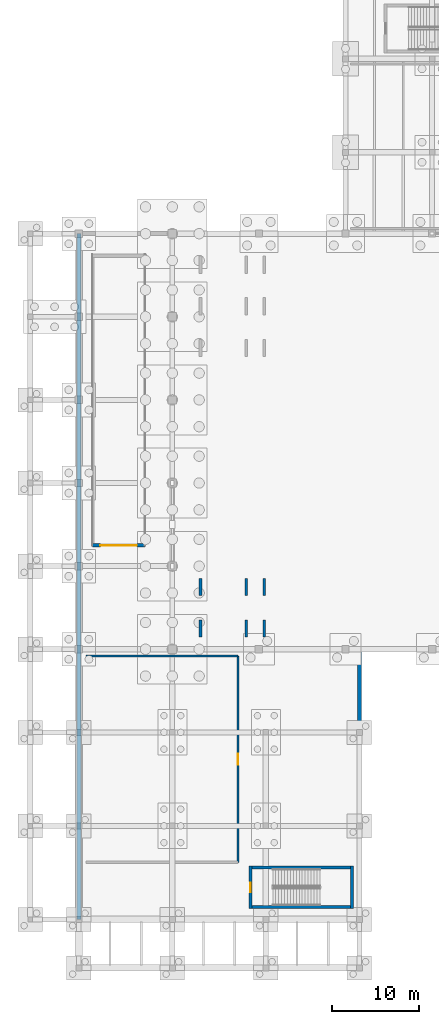
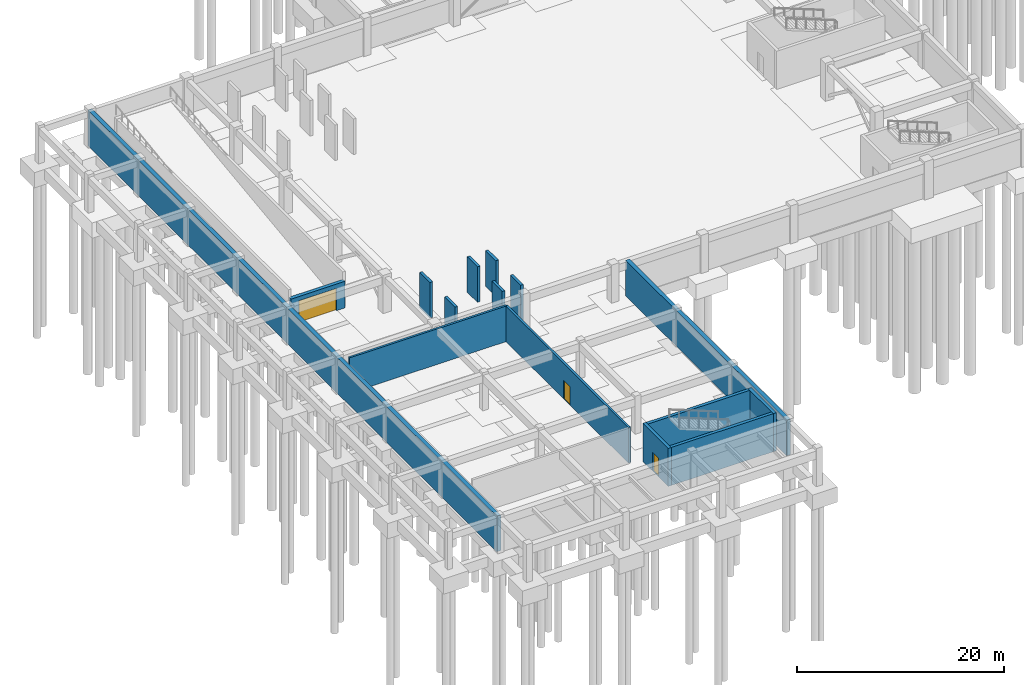
# One storey, part 14 of 33: 15 walls, 3 doors, 3 openings.
"""IFC4 building model written with IfcOpenShell, lengths in metres."""

from ifc_helpers import new_model, si_unit, direction, frame, frame_2d, origin, place, context, subcontext, project, spatial, rectangle, extrude, material, layer, layer_set, type_object, element, fill, save


model = new_model("IFC4")

# Units and contexts
model_context = context("Model", 3, precision=1e-05, world=origin(), true_north=direction((0.0, 1.0)))
body_context = subcontext(model_context, "Body", "Model", "MODEL_VIEW")
ifc_project = project(units=[si_unit("LENGTHUNIT", "METRE"), si_unit("AREAUNIT", "SQUARE_METRE"), si_unit("VOLUMEUNIT", "CUBIC_METRE"), si_unit("PLANEANGLEUNIT", "RADIAN"), si_unit("MASSUNIT", "GRAM", prefix="KILO")], contexts=[model_context])

# Site, building, storey
site_placement = place(None, origin())
site = spatial("IfcSite", under=ifc_project, at=site_placement, CompositionType="ELEMENT")
building_placement = place(site_placement, origin())
building = spatial("IfcBuilding", under=site, at=building_placement, Name="Veldera Park Congress Hotel", CompositionType="ELEMENT")
storey_placement = place(building_placement, frame((0.0, 0.0, -4.5)))
storey = spatial("IfcBuildingStorey", under=building, at=storey_placement, Name="B1", CompositionType="ELEMENT", Elevation=-4.5)

# Wall, opening, door
ifc_material_1 = material(Name="Concrete f'c 40 MPa (5,800 psi)", Category="concrete")
ifc_layer_1 = layer(ifc_material_1, 0.239990234375)
ifc_layer_set_1 = layer_set([ifc_layer_1], Name="Concrete f'c 40 MPa (5,800 psi)")
wall_type_1 = type_object("IfcWallType", Name="IW-FIRE240", PredefinedType="STANDARD", material=ifc_layer_set_1)
wall_1_placement = place(storey_placement, frame((-59.800048828125, -45.60009765625, 0.0), z_axis=(0.0, 0.0, 1.0), x_axis=(0.0, 1.0, 0.0)))
wall_1 = element("IfcWall", 1, at=wall_1_placement, inside=storey, type_object=wall_type_1, Name="B1 Partition Wall IW3-B1-00016", PredefinedType="STANDARD", context=body_context, shape_type="SweptSolid", body=[
    extrude(rectangle(XDim=23.800048828125, YDim=0.239990234375, at=frame_2d((11.89990234375, 0.0))), origin(), (0.0, 0.0, 1.0), 4.199951171875),
])
opening_1_placement = place(wall_1_placement, frame((11.25, 0.0, 0.0)))
opening_1 = element("IfcOpeningElement", 2, at=opening_1_placement, cuts=wall_1, Name="Opening ID-PLANT130", PredefinedType="OPENING", context=body_context, shape_type="SweptSolid", body=[
    extrude(rectangle(XDim=1.300048828125, YDim=2.199951171875, at=frame_2d((0.64990234375, 1.10009765625))), frame((0.0, 0.132080078125, 0.0), z_axis=(0.0, -1.0, 0.0), x_axis=(1.0, 0.0, 0.0)), (0.0, 0.0, 1.0), 0.263916015625),
])
ifc_material_2 = material(Name="Hollow Metal Fire-Rated Steel Door", Category="steel")
door_type_1 = type_object("IfcDoorType", Name="ID-PLANT130", OperationType="NOTDEFINED", PredefinedType="DOOR", material=ifc_material_2)
door_1_placement = place(opening_1_placement, origin())
door_1 = element("IfcDoor", 3, at=door_1_placement, inside=storey, type_object=door_type_1, Name="B1 Geothermal Heat Pump and Spa Filtration Plant Door ID3-B1-0007 (DR3-ID3-B1-0007)", OperationType="SINGLE_SWING_LEFT", OverallHeight=2.199951171875, OverallWidth=1.300048828125, PredefinedType="DOOR", context=body_context, shape_type="SweptSolid", body=[
    extrude(rectangle(XDim=1.300048828125, YDim=2.199951171875, at=frame_2d((0.64990234375, 1.10009765625))), frame((0.0, 0.02490234375, 0.0), z_axis=(0.0, -1.0, 0.0), x_axis=(1.0, 0.0, 0.0)), (0.0, 0.0, 1.0), 0.050048828125),
])
fill(opening_1, door_1)

# Walls
wall_2_placement = place(storey_placement, frame((-59.800048828125, -21.800048828125, 0.0), z_axis=(0.0, 0.0, 1.0), x_axis=(-1.0, 0.0, 0.0)))
element("IfcWall", 4, at=wall_2_placement, inside=storey, type_object=wall_type_1, Name="B1 Partition Wall IW3-B1-00017", PredefinedType="STANDARD", context=body_context, shape_type="SweptSolid", body=[
    extrude(rectangle(XDim=17.599853515625, YDim=0.239990234375, at=frame_2d((8.7998046875, 0.0))), origin(), (0.0, 0.0, 1.0), 4.199951171875),
])
ifc_layer_2 = layer(ifc_material_1, 0.35009765625)
ifc_layer_set_2 = layer_set([ifc_layer_2], Name="Concrete f'c 40 MPa (5,800 psi)")
wall_type_2 = type_object("IfcWallType", Name="SW-CORE350", PredefinedType="SHEAR", material=ifc_layer_set_2)
wall_3_placement = place(storey_placement, frame((-58.550048828125, -50.77490234375, 0.0), z_axis=(0.0, 0.0, 1.0), x_axis=(1.0, 0.0, 0.0)))
element("IfcWall", 5, at=wall_3_placement, inside=storey, type_object=wall_type_2, Name="Stair ST8 Core Wall B1-S", PredefinedType="SHEAR", context=body_context, shape_type="SweptSolid", body=[
    extrude(rectangle(XDim=12.10009765625, YDim=0.35009765625, at=frame_2d((6.050048828125, 0.0))), origin(), (0.0, 0.0, 1.0), 4.5),
])
wall_4_placement = place(storey_placement, frame((-46.625, -50.949951171875, 0.0), z_axis=(0.0, 0.0, 1.0), x_axis=(0.0, 1.0, 0.0)))
element("IfcWall", 6, at=wall_4_placement, inside=storey, type_object=wall_type_2, Name="Stair ST8 Core Wall B1-E", PredefinedType="SHEAR", context=body_context, shape_type="SweptSolid", body=[
    extrude(rectangle(XDim=4.89990234375, YDim=0.35009765625, at=frame_2d((2.449951171875, 0.0))), origin(), (0.0, 0.0, 1.0), 4.5),
])
wall_5_placement = place(storey_placement, frame((-46.449951171875, -46.22509765625, 0.0), z_axis=(0.0, 0.0, 1.0), x_axis=(-1.0, 0.0, 0.0)))
element("IfcWall", 7, at=wall_5_placement, inside=storey, type_object=wall_type_2, Name="Stair ST8 Core Wall B1-N", PredefinedType="SHEAR", context=body_context, shape_type="SweptSolid", body=[
    extrude(rectangle(XDim=12.10009765625, YDim=0.35009765625, at=frame_2d((6.050048828125, 0.0))), origin(), (0.0, 0.0, 1.0), 4.5),
])

# Wall, opening, door
wall_6_placement = place(storey_placement, frame((-58.375, -46.050048828125, 0.0), z_axis=(0.0, 0.0, 1.0), x_axis=(0.0, -1.0, 0.0)))
wall_6 = element("IfcWall", 8, at=wall_6_placement, inside=storey, type_object=wall_type_2, Name="Stair ST8 Core Wall B1-W", PredefinedType="SHEAR", context=body_context, shape_type="SweptSolid", body=[
    extrude(rectangle(XDim=4.89990234375, YDim=0.35009765625, at=frame_2d((2.449951171875, 0.0))), origin(), (0.0, 0.0, 1.0), 4.5),
])
opening_2_placement = place(wall_6_placement, frame((1.89990234375, 0.0, 0.0)))
opening_2 = element("IfcOpeningElement", 9, at=opening_2_placement, cuts=wall_6, Name="Opening ID-STAIR110", PredefinedType="OPENING", context=body_context, shape_type="SweptSolid", body=[
    extrude(rectangle(XDim=1.10009765625, YDim=2.199951171875, at=frame_2d((0.550048828125, 1.10009765625))), frame((0.0, 0.18701171875, 0.0), z_axis=(0.0, -1.0, 0.0), x_axis=(1.0, 0.0, 0.0)), (0.0, 0.0, 1.0), 0.3740234375),
])
door_type_2 = type_object("IfcDoorType", Name="ID-STAIR110", OperationType="NOTDEFINED", PredefinedType="DOOR", material=ifc_material_2)
door_2_placement = place(opening_2_placement, origin())
door_2 = element("IfcDoor", 10, at=door_2_placement, inside=storey, type_object=door_type_2, Name="B1 Stair ST8 Fire Door (DR3-SD-ST8-B1)", OperationType="SINGLE_SWING_RIGHT", OverallHeight=2.199951171875, OverallWidth=1.10009765625, PredefinedType="DOOR", context=body_context, shape_type="SweptSolid", body=[
    extrude(rectangle(XDim=1.10009765625, YDim=2.199951171875, at=frame_2d((0.550048828125, 1.10009765625))), frame((0.0, 0.02490234375, 0.0), z_axis=(0.0, -1.0, 0.0), x_axis=(1.0, 0.0, 0.0)), (0.0, 0.0, 1.0), 0.050048828125),
])
fill(opening_2, door_2)

ifc_layer_3 = layer(ifc_material_1, 0.39990234375)
ifc_layer_set_3 = layer_set([ifc_layer_3], Name="Concrete f'c 40 MPa (5,800 psi)")
wall_type_3 = type_object("IfcWallType", Name="SW-CORE400", PredefinedType="SHEAR", material=ifc_layer_set_3)
wall_7_placement = place(storey_placement, frame((-76.6201171875, -9.0, 0.0), z_axis=(0.0, 0.0, 1.0), x_axis=(1.0, 0.0, 0.0)))
wall_7 = element("IfcWall", 11, at=wall_7_placement, inside=storey, type_object=wall_type_3, Name="Vehicle Ramp Basement Portal Wall", PredefinedType="SHEAR", context=body_context, shape_type="SweptSolid", body=[
    extrude(rectangle(XDim=6.0400390625, YDim=0.39990234375, at=frame_2d((3.02001953125, 0.0))), origin(), (0.0, 0.0, 1.0), 3.14990234375),
])
opening_3_placement = place(wall_7_placement, frame((0.919921875, 0.0, 0.0)))
opening_3 = element("IfcOpeningElement", 12, at=opening_3_placement, cuts=wall_7, Name="Opening VG-B1-4200", PredefinedType="OPENING", context=body_context, shape_type="SweptSolid", body=[
    extrude(rectangle(XDim=4.199951171875, YDim=2.64990234375, at=frame_2d((2.10009765625, 1.324951171875))), frame((0.0, 0.2119140625, 0.0), z_axis=(0.0, -1.0, 0.0), x_axis=(1.0, 0.0, 0.0)), (0.0, 0.0, 1.0), 0.423828125),
])
ifc_material_3 = material(Name="Anodised Aluminium Alloy 6063-T6", Category="aluminium")
door_type_3 = type_object("IfcDoorType", Name="VG-B1-4200", OperationType="ROLLINGUP", PredefinedType="GATE", material=ifc_material_3)
door_3_placement = place(opening_3_placement, origin())
door_3 = element("IfcDoor", 13, at=door_3_placement, inside=storey, type_object=door_type_3, Name="B1 Underground Car Park Vehicle Entrance Gate (DR3-B1-VG01)", OperationType="ROLLINGUP", OverallHeight=2.64990234375, OverallWidth=4.199951171875, PredefinedType="GATE", context=body_context, shape_type="SweptSolid", body=[
    extrude(rectangle(XDim=4.199951171875, YDim=2.64990234375, at=frame_2d((2.10009765625, 1.324951171875))), frame((0.0, 0.02490234375, 0.0), z_axis=(0.0, -1.0, 0.0), x_axis=(1.0, 0.0, 0.0)), (0.0, 0.0, 1.0), 0.050048828125),
])
fill(opening_3, door_3)

# Walls
ifc_layer_4 = layer(ifc_material_1, 0.449951171875)
ifc_layer_set_4 = layer_set([ifc_layer_4], Name="Concrete f'c 40 MPa (5,800 psi)")
wall_type_4 = type_object("IfcWallType", Name="SW-RET450", PredefinedType="USERDEFINED", material=ifc_layer_set_4)
wall_8_placement = place(storey_placement, frame((-45.800048828125, -52.199951171875, 0.0), z_axis=(0.0, 0.0, 1.0), x_axis=(0.0, 1.0, 0.0)))
element("IfcWall", 14, at=wall_8_placement, inside=storey, type_object=wall_type_4, Name="Basement Retaining Wall 2", ObjectType="RETAININGWALL", PredefinedType="USERDEFINED", context=body_context, shape_type="SweptSolid", body=[
    extrude(rectangle(XDim=31.199951171875, YDim=0.449951171875, at=frame_2d((15.60009765625, 0.0))), origin(), (0.0, 0.0, 1.0), 4.199951171875),
])
wall_9_placement = place(storey_placement, frame((-78.199951171875, 27.0, 0.0), z_axis=(0.0, 0.0, 1.0), x_axis=(0.0, -1.0, 0.0)))
element("IfcWall", 15, at=wall_9_placement, inside=storey, type_object=wall_type_4, Name="Basement Retaining Wall 12", ObjectType="RETAININGWALL", PredefinedType="USERDEFINED", context=body_context, shape_type="SweptSolid", body=[
    extrude(rectangle(XDim=79.199951171875, YDim=0.449951171875, at=frame_2d((39.60009765625, 0.0))), origin(), (0.0, 0.0, 1.0), 4.199951171875),
])
ifc_layer_5 = layer(ifc_material_1, 0.300048828125)
ifc_layer_set_5 = layer_set([ifc_layer_5], Name="Concrete f'c 40 MPa (5,800 psi)")
wall_type_5 = type_object("IfcWallType", Name="SW-SHFT300", PredefinedType="SHEAR", material=ifc_layer_set_5)
for number, where, z_axis, x_axis, name in (
    (16, (-64.14990234375, -19.60009765625, 0.0), (0.0, 0.0, 1.0), (0.0, 1.0, 0.0), "Accessible Ramp 1 B1 Lower Pier Wall"),
    (17, (-58.85009765625, -19.60009765625, 0.0), (0.0, 0.0, 1.0), (0.0, 1.0, 0.0), "Accessible Ramp 1 B1 Upper Pier Wall"),
    (18, (-56.800048828125, -19.60009765625, 0.0), (0.0, 0.0, 1.0), (0.0, 1.0, 0.0), "Accessible Ramp 1 B1 Landing East Pier Wall"),
    (19, (-64.14990234375, -14.800048828125, 0.0), (0.0, 0.0, 1.0), (0.0, 1.0, 0.0), "Accessible Ramp 2 B1 Lower Pier Wall"),
    (20, (-58.85009765625, -14.800048828125, 0.0), (0.0, 0.0, 1.0), (0.0, 1.0, 0.0), "Accessible Ramp 2 B1 Upper Pier Wall"),
    (21, (-56.800048828125, -14.800048828125, 0.0), (0.0, 0.0, 1.0), (0.0, 1.0, 0.0), "Accessible Ramp 2 B1 Landing East Pier Wall"),
):
    element("IfcWall", number, at=place(storey_placement, frame(where, z_axis=z_axis, x_axis=x_axis)), inside=storey, type_object=wall_type_5, Name=name, PredefinedType="SHEAR", context=body_context, shape_type="SweptSolid", body=[
        extrude(rectangle(XDim=2.0, YDim=0.300048828125, at=frame_2d((1.0, 0.0))), origin(), (0.0, 0.0, 1.0), 4.199951171875),
    ])

save(model, "model.ifc")
